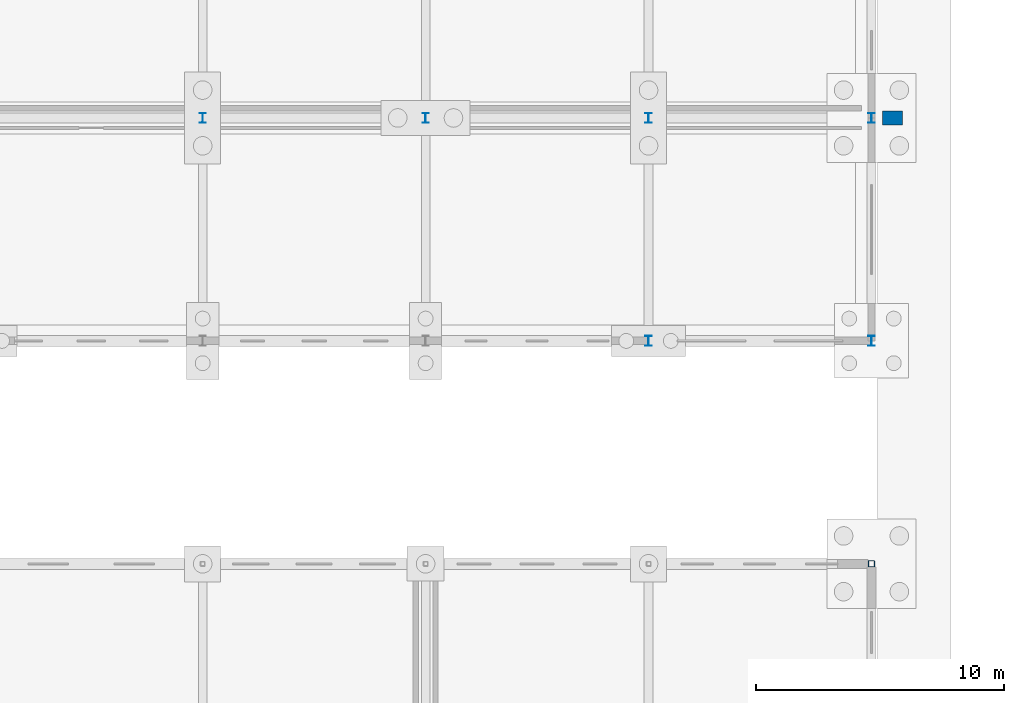
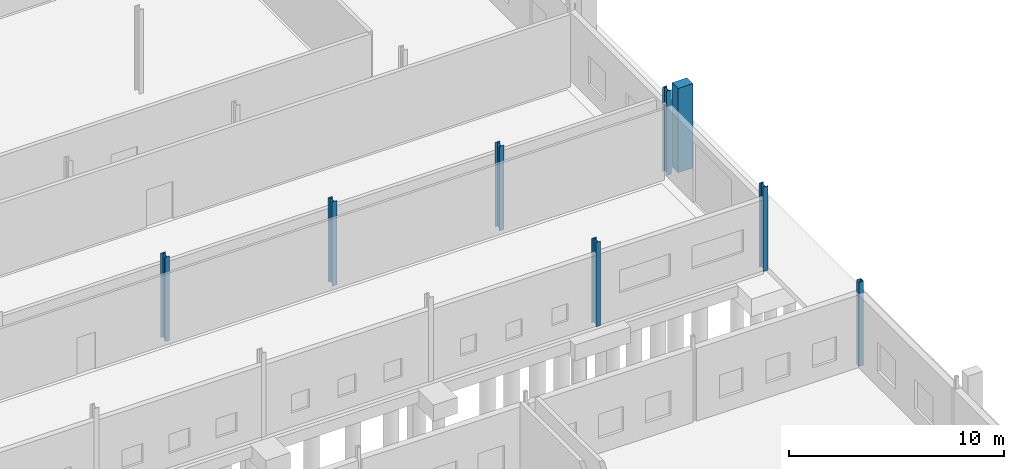
# One storey, part 43 of 112: 8 columns.
"""IFC4 building model written with IfcOpenShell, lengths in metres."""

from ifc_helpers import new_model, si_unit, direction, frame, origin, origin_2d, place, context, subcontext, project, spatial, rectangle, hollow_rectangle, i_section, extrude, material, material_profile, profile_set, type_object, element, save


model = new_model("IFC4")

# Units and contexts
model_context = context("Model", 3, precision=1e-05, world=origin(), true_north=direction((0.0, 1.0)))
body_context = subcontext(model_context, "Body", "Model", "MODEL_VIEW")
ifc_project = project(units=[si_unit("LENGTHUNIT", "METRE"), si_unit("AREAUNIT", "SQUARE_METRE"), si_unit("VOLUMEUNIT", "CUBIC_METRE"), si_unit("PLANEANGLEUNIT", "RADIAN"), si_unit("MASSUNIT", "GRAM", prefix="KILO")], contexts=[model_context])

# Site, building, storey
site_placement = place(None, origin())
site = spatial("IfcSite", under=ifc_project, at=site_placement, CompositionType="ELEMENT")
building_placement = place(site_placement, origin())
building = spatial("IfcBuilding", under=site, at=building_placement, Name="Tharagai Park Tramway Depot", CompositionType="ELEMENT")
storey_placement = place(building_placement, origin())
storey = spatial("IfcBuildingStorey", under=building, at=storey_placement, Name="L00", CompositionType="ELEMENT", Elevation=0.0)

# Columns
ifc_material_1 = material(Name="Steel E350", Category="steel")
ifc_material_profile_1 = material_profile(ifc_material_1, i_section(OverallWidth=0.25, OverallDepth=0.39990234375, WebThickness=0.010498046875, FlangeThickness=0.0126953125, FilletRadius=0.013916015625, at=origin_2d()), Name="ISHB 400")
ifc_profile_set_1 = profile_set([ifc_material_profile_1], Name="Steel E350")
column_type_1 = type_object("IfcColumnType", Name="CL-06", PredefinedType="COLUMN", material=ifc_profile_set_1)
for number, where, z_axis, x_axis, name in (
    (1, (189.0, 99.0, 0.0), (0.0, 0.0, 1.0), (1.0, 0.0, 0.0), "L00 Structural Column CL-06 (189,99)"),
    (2, (198.0, 99.0, 0.0), (0.0, 0.0, 1.0), (1.0, 0.0, 0.0), "L00 Structural Column CL-06 (198,99)"),
    (3, (207.0, 90.0, 0.0), (0.0, 0.0, 1.0), (1.0, 0.0, 0.0), "L00 Structural Column CL-06 (207,90)"),
    (4, (207.0, 99.0, 0.0), (0.0, 0.0, 1.0), (1.0, 0.0, 0.0), "L00 Structural Column CL-06 (207,99)"),
    (5, (216.0, 90.0, 0.0), (0.0, 0.0, 1.0), (1.0, 0.0, 0.0), "L00 Structural Column CL-06 (216,90)"),
    (6, (216.0, 99.0, 0.0), (0.0, 0.0, 1.0), (1.0, 0.0, 0.0), "L00 Structural Column CL-06 (216,99)"),
):
    element("IfcColumn", number, at=place(storey_placement, frame(where, z_axis=z_axis, x_axis=x_axis)), inside=storey, type_object=column_type_1, Name=name, PredefinedType="COLUMN", context=body_context, shape_type="SweptSolid", body=[
        extrude(i_section(OverallWidth=0.25, OverallDepth=0.39990234375, WebThickness=0.010498046875, FlangeThickness=0.0126953125, FilletRadius=0.013916015625, at=origin_2d()), origin(), (0.0, 0.0, 1.0), 4.800048828125),
    ])
ifc_material_profile_2 = material_profile(ifc_material_1, hollow_rectangle(XDim=0.25, YDim=0.25, WallThickness=0.010009765625, InnerFilletRadius=0.010009765625, OuterFilletRadius=0.02001953125, at=origin_2d()), Name="SHS 250x250x10")
ifc_profile_set_2 = profile_set([ifc_material_profile_2], Name="Steel E350")
column_type_2 = type_object("IfcColumnType", Name="CL-14", PredefinedType="COLUMN", material=ifc_profile_set_2)
column_1_placement = place(storey_placement, frame((216.0, 81.0, 0.0), z_axis=(0.0, 0.0, 1.0), x_axis=(1.0, 0.0, 0.0)))
element("IfcColumn", 7, at=column_1_placement, inside=storey, type_object=column_type_2, Name="L00 Structural Column CL-14 (216,81)", PredefinedType="COLUMN", context=body_context, shape_type="SweptSolid", body=[
    extrude(hollow_rectangle(XDim=0.25, YDim=0.25, WallThickness=0.010009765625, InnerFilletRadius=0.010009765625, OuterFilletRadius=0.02001953125, at=origin_2d()), origin(), (0.0, 0.0, 1.0), 4.800048828125),
])
ifc_material_2 = material(Name="Concrete M40", Category="concrete")
ifc_material_profile_3 = material_profile(ifc_material_2, rectangle(XDim=0.550048828125, YDim=0.800048828125, at=origin_2d()), Name="RC 550x800")
ifc_profile_set_3 = profile_set([ifc_material_profile_3], Name="Concrete M40")
column_type_3 = type_object("IfcColumnType", Name="PL-02", PredefinedType="PILASTER", material=ifc_profile_set_3)
column_2_placement = place(storey_placement, frame((216.85009765625, 99.0, 0.0), z_axis=(0.0, 0.0, 1.0), x_axis=(0.0, 1.0, 0.0)))
element("IfcColumn", 8, at=column_2_placement, inside=storey, type_object=column_type_3, Name="L00 Stepped Gothic Buttress PL-02 E-099", PredefinedType="PILASTER", context=body_context, shape_type="SweptSolid", body=[
    extrude(rectangle(XDim=0.550048828125, YDim=0.800048828125, at=origin_2d()), origin(), (0.0, 0.0, 1.0), 4.800048828125),
])

save(model, "model.ifc")
